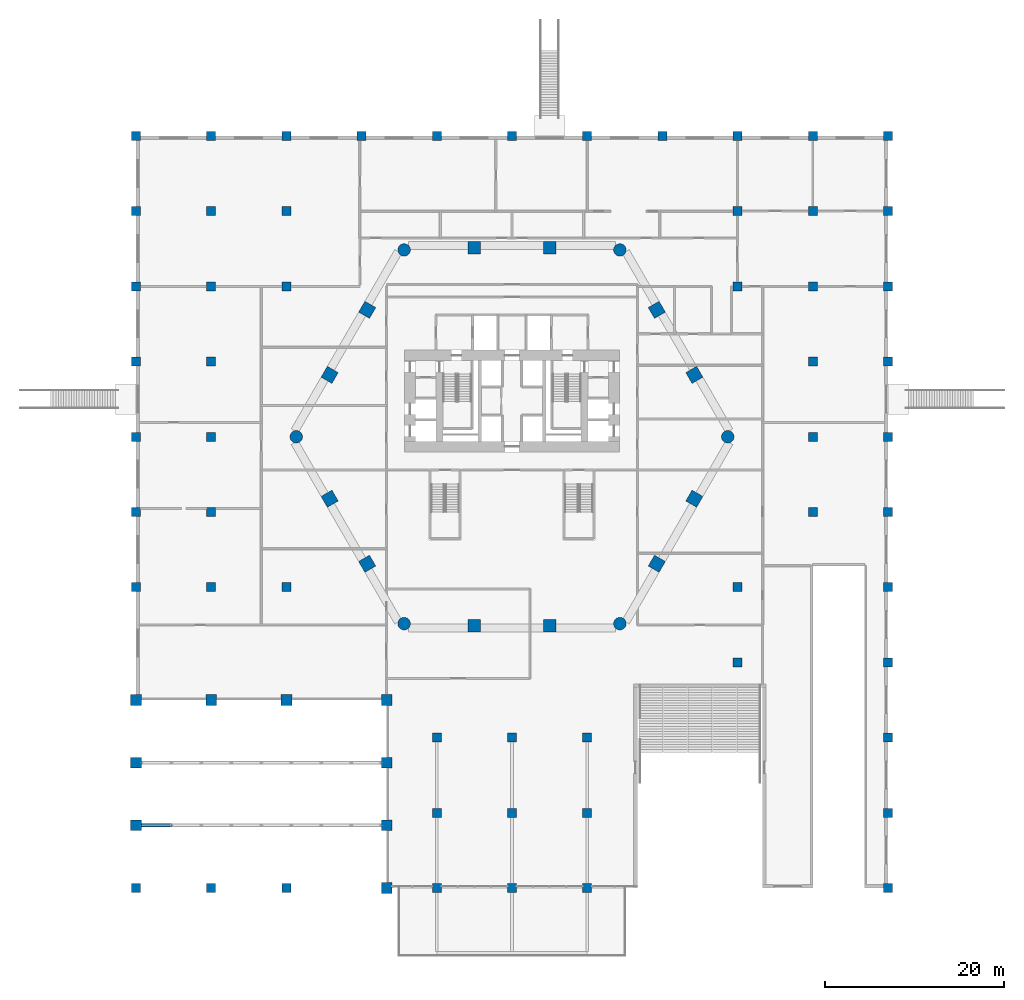
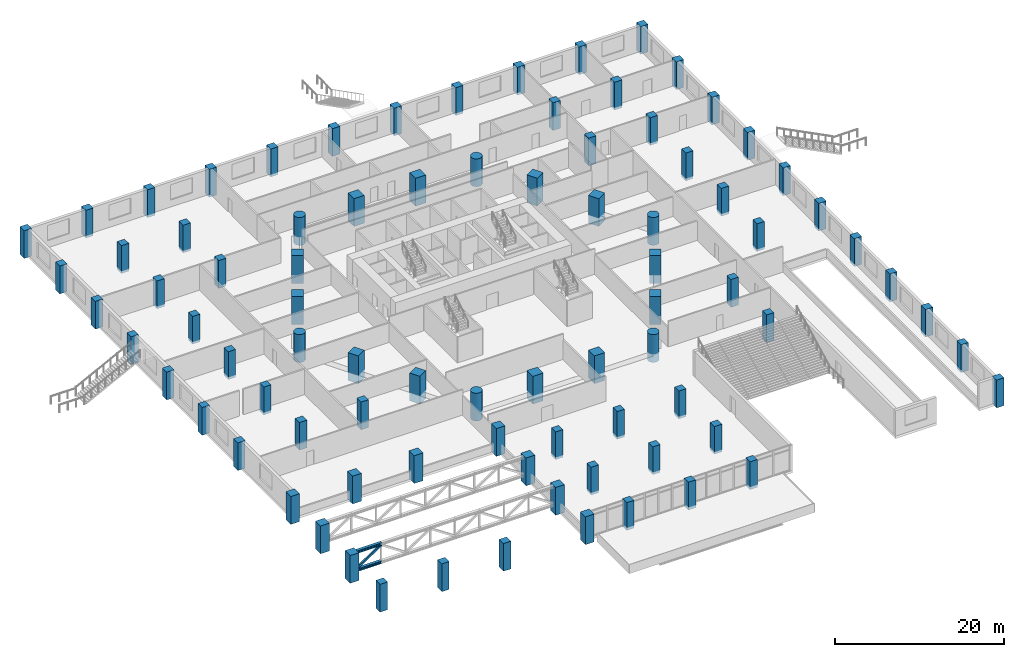
# One storey, part 1 of 24: 84 columns, 3 members.
"""IFC4 building model written with IfcOpenShell, lengths in metres."""

from ifc_helpers import new_model, si_unit, direction, frame, origin, origin_2d, place, context, subcontext, project, spatial, rectangle, hollow_rectangle, circle, i_section, extrude, material, material_profile, profile_set, type_object, element, save


model = new_model("IFC4")

# Units and contexts
model_context = context("Model", 3, precision=1e-05, world=origin(), true_north=direction((0.0, 1.0)))
body_context = subcontext(model_context, "Body", "Model", "MODEL_VIEW")
ifc_project = project(units=[si_unit("LENGTHUNIT", "METRE"), si_unit("AREAUNIT", "SQUARE_METRE"), si_unit("VOLUMEUNIT", "CUBIC_METRE"), si_unit("PLANEANGLEUNIT", "RADIAN"), si_unit("MASSUNIT", "GRAM", prefix="KILO")], contexts=[model_context])

# Site, building, storey
site_placement = place(None, origin())
site = spatial("IfcSite", under=ifc_project, at=site_placement, CompositionType="ELEMENT")
building_placement = place(site_placement, origin())
building = spatial("IfcBuilding", under=site, at=building_placement, Name="Ostrander Bayou Hotel Tower", CompositionType="ELEMENT")
storey_placement = place(building_placement, frame((0.0, 0.0, 6.0)))
storey = spatial("IfcBuildingStorey", under=building, at=storey_placement, Name="L01", CompositionType="ELEMENT", Elevation=6.0)

# Columns
ifc_material_1 = material(Name="Concrete f'c 70 MPa", Category="concrete")
ifc_material_profile_1 = material_profile(ifc_material_1, circle(Radius=0.699951171875, at=origin_2d()))
ifc_profile_set_1 = profile_set([ifc_material_profile_1], Name="Concrete f'c 70 MPa")
column_type_1 = type_object("IfcColumnType", Name="C1 round column 1400 mm f'c 70 MPa", PredefinedType="COLUMN", material=ifc_profile_set_1)
for number, where, z_axis, x_axis, name in (
    (1, (-12.050537109375, 20.872314453125, -1.199951171875), (0.0, 0.0, 1.0), (1.0, 0.0, 0.0), "C1 L01 K0"),
    (2, (-24.101318359375, 0.0, -1.199951171875), (0.0, 0.0, 1.0), (1.0, 0.0, 0.0), "C1 L01 K1"),
    (3, (-12.050537109375, -20.872314453125, -1.199951171875), (0.0, 0.0, 1.0), (1.0, 0.0, 0.0), "C1 L01 K2"),
    (4, (12.050537109375, -20.872314453125, -1.199951171875), (0.0, 0.0, 1.0), (1.0, 0.0, 0.0), "C1 L01 K3"),
    (5, (24.101318359375, 0.0, -1.199951171875), (0.0, 0.0, 1.0), (1.0, 0.0, 0.0), "C1 L01 K4"),
    (6, (12.050537109375, 20.872314453125, -1.199951171875), (0.0, 0.0, 1.0), (1.0, 0.0, 0.0), "C1 L01 K5"),
):
    element("IfcColumn", number, at=place(storey_placement, frame(where, z_axis=z_axis, x_axis=x_axis)), inside=storey, type_object=column_type_1, Name=name, PredefinedType="COLUMN", context=body_context, shape_type="SweptSolid", body=[
        extrude(circle(Radius=0.699951171875, at=origin_2d()), origin(), (0.0, 0.0, 1.0), 4.0),
    ])
ifc_material_2 = material(Name="Concrete f'c 70 MPa", Category="concrete")
ifc_material_profile_2 = material_profile(ifc_material_2, rectangle(XDim=1.39990234375, YDim=1.39990234375, at=origin_2d()))
ifc_profile_set_2 = profile_set([ifc_material_profile_2], Name="Concrete f'c 70 MPa")
column_type_2 = type_object("IfcColumnType", Name="C2 square column 1400 x 1400 mm f'c 70 MPa", PredefinedType="COLUMN", material=ifc_profile_set_2)
for number, where, z_axis, x_axis, name in (
    (7, (4.1953125, 21.10009765625, -1.199951171875), (0.0, 0.0, 1.0), (1.0, 0.0, 0.0), "C2 L01 N1"),
    (8, (-4.1953125, 21.10009765625, -1.199951171875), (0.0, 0.0, 1.0), (1.0, 0.0, 0.0), "C2 L01 N2"),
    (9, (-16.17529296875, 14.183349609375, -1.199951171875), (0.0, 0.0, 1.0), (0.5, 0.866025403784, 0.0), "C2 L01 NW1"),
    (10, (-20.370849609375, 6.916748046875, -1.199951171875), (0.0, 0.0, 1.0), (0.5, 0.866025403784, 0.0), "C2 L01 NW2"),
    (11, (-20.370849609375, -6.916748046875, -1.199951171875), (0.0, 0.0, 1.0), (-0.5, 0.866025403784, 0.0), "C2 L01 SW1"),
    (12, (-16.17529296875, -14.183349609375, -1.199951171875), (0.0, 0.0, 1.0), (-0.5, 0.866025403784, 0.0), "C2 L01 SW2"),
    (13, (-4.1953125, -21.10009765625, -1.199951171875), (0.0, 0.0, 1.0), (-1.0, 0.0, 0.0), "C2 L01 S1"),
    (14, (4.1953125, -21.10009765625, -1.199951171875), (0.0, 0.0, 1.0), (-1.0, 0.0, 0.0), "C2 L01 S2"),
    (15, (16.17529296875, -14.183349609375, -1.199951171875), (0.0, 0.0, 1.0), (-0.5, -0.866025403784, 0.0), "C2 L01 SE1"),
    (16, (20.370849609375, -6.916748046875, -1.199951171875), (0.0, 0.0, 1.0), (-0.5, -0.866025403784, 0.0), "C2 L01 SE2"),
    (17, (20.370849609375, 6.916748046875, -1.199951171875), (0.0, 0.0, 1.0), (0.5, -0.866025403784, 0.0), "C2 L01 NE1"),
    (18, (16.17529296875, 14.183349609375, -1.199951171875), (0.0, 0.0, 1.0), (0.5, -0.866025403784, 0.0), "C2 L01 NE2"),
):
    element("IfcColumn", number, at=place(storey_placement, frame(where, z_axis=z_axis, x_axis=x_axis)), inside=storey, type_object=column_type_2, Name=name, PredefinedType="COLUMN", context=body_context, shape_type="SweptSolid", body=[
        extrude(rectangle(XDim=1.39990234375, YDim=1.39990234375, at=origin_2d()), origin(), (0.0, 0.0, 1.0), 4.0),
    ])
ifc_material_3 = material(Name="Concrete f'c 60 MPa", Category="concrete")
ifc_material_profile_3 = material_profile(ifc_material_3, rectangle(XDim=1.0, YDim=1.0, at=origin_2d()))
ifc_profile_set_3 = profile_set([ifc_material_profile_3], Name="Concrete f'c 60 MPa")
column_type_3 = type_object("IfcColumnType", Name="PC1 podium column 1000 x 1000 mm f'c 60 MPa", PredefinedType="COLUMN", material=ifc_profile_set_3)
for number, where, z_axis, x_axis, name in (
    (19, (-42.0, -50.39990234375, -0.35009765625), (0.0, 0.0, 1.0), (1.0, 0.0, 0.0), "PC1 L01 1A"),
    (20, (-42.0, -16.800048828125, -0.35009765625), (0.0, 0.0, 1.0), (1.0, 0.0, 0.0), "PC1 L01 1E"),
    (21, (-42.0, -8.39990234375, -0.35009765625), (0.0, 0.0, 1.0), (1.0, 0.0, 0.0), "PC1 L01 1F"),
    (22, (-42.0, 0.0, -0.35009765625), (0.0, 0.0, 1.0), (1.0, 0.0, 0.0), "PC1 L01 1G"),
    (23, (-42.0, 8.39990234375, -0.35009765625), (0.0, 0.0, 1.0), (1.0, 0.0, 0.0), "PC1 L01 1H"),
    (24, (-42.0, 16.800048828125, -0.35009765625), (0.0, 0.0, 1.0), (1.0, 0.0, 0.0), "PC1 L01 1I"),
    (25, (-42.0, 25.199951171875, -0.35009765625), (0.0, 0.0, 1.0), (1.0, 0.0, 0.0), "PC1 L01 1J"),
    (26, (-42.0, 33.60009765625, -0.35009765625), (0.0, 0.0, 1.0), (1.0, 0.0, 0.0), "PC1 L01 1K"),
    (27, (-33.60009765625, -50.39990234375, -0.35009765625), (0.0, 0.0, 1.0), (1.0, 0.0, 0.0), "PC1 L01 2A"),
    (28, (-33.60009765625, -16.800048828125, -0.35009765625), (0.0, 0.0, 1.0), (1.0, 0.0, 0.0), "PC1 L01 2E"),
    (29, (-33.60009765625, -8.39990234375, -0.35009765625), (0.0, 0.0, 1.0), (1.0, 0.0, 0.0), "PC1 L01 2F"),
    (30, (-33.60009765625, 0.0, -0.35009765625), (0.0, 0.0, 1.0), (1.0, 0.0, 0.0), "PC1 L01 2G"),
    (31, (-33.60009765625, 8.39990234375, -0.35009765625), (0.0, 0.0, 1.0), (1.0, 0.0, 0.0), "PC1 L01 2H"),
    (32, (-33.60009765625, 16.800048828125, -0.35009765625), (0.0, 0.0, 1.0), (1.0, 0.0, 0.0), "PC1 L01 2I"),
    (33, (-33.60009765625, 25.199951171875, -0.35009765625), (0.0, 0.0, 1.0), (1.0, 0.0, 0.0), "PC1 L01 2J"),
    (34, (-33.60009765625, 33.60009765625, -0.35009765625), (0.0, 0.0, 1.0), (1.0, 0.0, 0.0), "PC1 L01 2K"),
    (35, (-25.199951171875, -50.39990234375, -0.35009765625), (0.0, 0.0, 1.0), (1.0, 0.0, 0.0), "PC1 L01 3A"),
    (36, (-25.199951171875, -16.800048828125, -0.35009765625), (0.0, 0.0, 1.0), (1.0, 0.0, 0.0), "PC1 L01 3E"),
    (37, (-25.199951171875, 16.800048828125, -0.35009765625), (0.0, 0.0, 1.0), (1.0, 0.0, 0.0), "PC1 L01 3I"),
    (38, (-25.199951171875, 25.199951171875, -0.35009765625), (0.0, 0.0, 1.0), (1.0, 0.0, 0.0), "PC1 L01 3J"),
    (39, (-25.199951171875, 33.60009765625, -0.35009765625), (0.0, 0.0, 1.0), (1.0, 0.0, 0.0), "PC1 L01 3K"),
    (40, (-16.800048828125, 33.60009765625, -0.35009765625), (0.0, 0.0, 1.0), (1.0, 0.0, 0.0), "PC1 L01 4K"),
    (41, (-8.39990234375, -50.39990234375, -0.35009765625), (0.0, 0.0, 1.0), (1.0, 0.0, 0.0), "PC1 L01 5A"),
    (42, (-8.39990234375, -42.0, -0.35009765625), (0.0, 0.0, 1.0), (1.0, 0.0, 0.0), "PC1 L01 5B"),
    (43, (-8.39990234375, -33.60009765625, -0.35009765625), (0.0, 0.0, 1.0), (1.0, 0.0, 0.0), "PC1 L01 5C"),
    (44, (-8.39990234375, 33.60009765625, -0.35009765625), (0.0, 0.0, 1.0), (1.0, 0.0, 0.0), "PC1 L01 5K"),
    (45, (0.0, -50.39990234375, -0.35009765625), (0.0, 0.0, 1.0), (1.0, 0.0, 0.0), "PC1 L01 6A"),
    (46, (0.0, -42.0, -0.35009765625), (0.0, 0.0, 1.0), (1.0, 0.0, 0.0), "PC1 L01 6B"),
    (47, (0.0, -33.60009765625, -0.35009765625), (0.0, 0.0, 1.0), (1.0, 0.0, 0.0), "PC1 L01 6C"),
    (48, (0.0, 33.60009765625, -0.35009765625), (0.0, 0.0, 1.0), (1.0, 0.0, 0.0), "PC1 L01 6K"),
    (49, (8.39990234375, -50.39990234375, -0.35009765625), (0.0, 0.0, 1.0), (1.0, 0.0, 0.0), "PC1 L01 7A"),
    (50, (8.39990234375, -42.0, -0.35009765625), (0.0, 0.0, 1.0), (1.0, 0.0, 0.0), "PC1 L01 7B"),
    (51, (8.39990234375, -33.60009765625, -0.35009765625), (0.0, 0.0, 1.0), (1.0, 0.0, 0.0), "PC1 L01 7C"),
    (52, (8.39990234375, 33.60009765625, -0.35009765625), (0.0, 0.0, 1.0), (1.0, 0.0, 0.0), "PC1 L01 7K"),
    (53, (16.800048828125, 33.60009765625, -0.35009765625), (0.0, 0.0, 1.0), (1.0, 0.0, 0.0), "PC1 L01 8K"),
    (54, (25.199951171875, -25.199951171875, -0.35009765625), (0.0, 0.0, 1.0), (1.0, 0.0, 0.0), "PC1 L01 9D"),
    (55, (25.199951171875, -16.800048828125, -0.35009765625), (0.0, 0.0, 1.0), (1.0, 0.0, 0.0), "PC1 L01 9E"),
    (56, (25.199951171875, 16.800048828125, -0.35009765625), (0.0, 0.0, 1.0), (1.0, 0.0, 0.0), "PC1 L01 9I"),
    (57, (25.199951171875, 25.199951171875, -0.35009765625), (0.0, 0.0, 1.0), (1.0, 0.0, 0.0), "PC1 L01 9J"),
    (58, (25.199951171875, 33.60009765625, -0.35009765625), (0.0, 0.0, 1.0), (1.0, 0.0, 0.0), "PC1 L01 9K"),
    (59, (33.60009765625, -8.39990234375, -0.35009765625), (0.0, 0.0, 1.0), (1.0, 0.0, 0.0), "PC1 L01 10F"),
    (60, (33.60009765625, 0.0, -0.35009765625), (0.0, 0.0, 1.0), (1.0, 0.0, 0.0), "PC1 L01 10G"),
    (61, (33.60009765625, 8.39990234375, -0.35009765625), (0.0, 0.0, 1.0), (1.0, 0.0, 0.0), "PC1 L01 10H"),
    (62, (33.60009765625, 16.800048828125, -0.35009765625), (0.0, 0.0, 1.0), (1.0, 0.0, 0.0), "PC1 L01 10I"),
    (63, (33.60009765625, 25.199951171875, -0.35009765625), (0.0, 0.0, 1.0), (1.0, 0.0, 0.0), "PC1 L01 10J"),
    (64, (33.60009765625, 33.60009765625, -0.35009765625), (0.0, 0.0, 1.0), (1.0, 0.0, 0.0), "PC1 L01 10K"),
    (65, (42.0, -50.39990234375, -0.35009765625), (0.0, 0.0, 1.0), (1.0, 0.0, 0.0), "PC1 L01 11A"),
    (66, (42.0, -42.0, -0.35009765625), (0.0, 0.0, 1.0), (1.0, 0.0, 0.0), "PC1 L01 11B"),
    (67, (42.0, -33.60009765625, -0.35009765625), (0.0, 0.0, 1.0), (1.0, 0.0, 0.0), "PC1 L01 11C"),
    (68, (42.0, -25.199951171875, -0.35009765625), (0.0, 0.0, 1.0), (1.0, 0.0, 0.0), "PC1 L01 11D"),
    (69, (42.0, -16.800048828125, -0.35009765625), (0.0, 0.0, 1.0), (1.0, 0.0, 0.0), "PC1 L01 11E"),
    (70, (42.0, -8.39990234375, -0.35009765625), (0.0, 0.0, 1.0), (1.0, 0.0, 0.0), "PC1 L01 11F"),
    (71, (42.0, 0.0, -0.35009765625), (0.0, 0.0, 1.0), (1.0, 0.0, 0.0), "PC1 L01 11G"),
    (72, (42.0, 8.39990234375, -0.35009765625), (0.0, 0.0, 1.0), (1.0, 0.0, 0.0), "PC1 L01 11H"),
    (73, (42.0, 16.800048828125, -0.35009765625), (0.0, 0.0, 1.0), (1.0, 0.0, 0.0), "PC1 L01 11I"),
    (74, (42.0, 25.199951171875, -0.35009765625), (0.0, 0.0, 1.0), (1.0, 0.0, 0.0), "PC1 L01 11J"),
    (75, (42.0, 33.60009765625, -0.35009765625), (0.0, 0.0, 1.0), (1.0, 0.0, 0.0), "PC1 L01 11K"),
):
    element("IfcColumn", number, at=place(storey_placement, frame(where, z_axis=z_axis, x_axis=x_axis)), inside=storey, type_object=column_type_3, Name=name, PredefinedType="COLUMN", context=body_context, shape_type="SweptSolid", body=[
        extrude(rectangle(XDim=1.0, YDim=1.0, at=origin_2d()), origin(), (0.0, 0.0, 1.0), 4.0),
    ])
ifc_material_4 = material(Name="Concrete f'c 60 MPa", Category="concrete")
ifc_material_profile_4 = material_profile(ifc_material_4, rectangle(XDim=1.199951171875, YDim=1.199951171875, at=origin_2d()))
ifc_profile_set_4 = profile_set([ifc_material_profile_4], Name="Concrete f'c 60 MPa")
column_type_4 = type_object("IfcColumnType", Name="PC2 ballroom column 1200 x 1200 mm f'c 60 MPa", PredefinedType="COLUMN", material=ifc_profile_set_4)
for number, where, z_axis, x_axis, name in (
    (76, (-14.0, -43.39990234375, -0.35009765625), (0.0, 0.0, 1.0), (1.0, 0.0, 0.0), "PC2 L01 BR1"),
    (77, (-42.0, -43.39990234375, -0.35009765625), (0.0, 0.0, 1.0), (1.0, 0.0, 0.0), "PC2 L01 BW1"),
    (78, (-14.0, -36.39990234375, -0.35009765625), (0.0, 0.0, 1.0), (1.0, 0.0, 0.0), "PC2 L01 BR2"),
    (79, (-42.0, -36.39990234375, -0.35009765625), (0.0, 0.0, 1.0), (1.0, 0.0, 0.0), "PC2 L01 BW2"),
    (80, (-14.0, -50.39990234375, -0.35009765625), (0.0, 0.0, 1.0), (1.0, 0.0, 0.0), "PC2 L01 BR0"),
    (81, (-14.0, -29.39990234375, -0.35009765625), (0.0, 0.0, 1.0), (1.0, 0.0, 0.0), "PC2 L01 BR3"),
    (82, (-42.0, -29.39990234375, -0.35009765625), (0.0, 0.0, 1.0), (1.0, 0.0, 0.0), "PC2 L01 BE1"),
    (83, (-33.60009765625, -29.39990234375, -0.35009765625), (0.0, 0.0, 1.0), (1.0, 0.0, 0.0), "PC2 L01 BE2"),
    (84, (-25.199951171875, -29.39990234375, -0.35009765625), (0.0, 0.0, 1.0), (1.0, 0.0, 0.0), "PC2 L01 BE3"),
):
    element("IfcColumn", number, at=place(storey_placement, frame(where, z_axis=z_axis, x_axis=x_axis)), inside=storey, type_object=column_type_4, Name=name, PredefinedType="COLUMN", context=body_context, shape_type="SweptSolid", body=[
        extrude(rectangle(XDim=1.199951171875, YDim=1.199951171875, at=origin_2d()), origin(), (0.0, 0.0, 1.0), 4.0),
    ])

# Members
ifc_material_5 = material(Name="Steel ASTM A992", Category="steel")
ifc_material_profile_5 = material_profile(ifc_material_5, i_section(OverallWidth=0.3955078125, OverallDepth=0.38037109375, WebThickness=0.01904296875, FlangeThickness=0.0302734375, at=origin_2d()))
ifc_profile_set_5 = profile_set([ifc_material_profile_5], Name="Steel ASTM A992")
member_type_1 = type_object("IfcMemberType", Name="BR1 ballroom truss chord W14x159", PredefinedType="CHORD", material=ifc_profile_set_5)
for number, where, z_axis, x_axis, name in (
    (85, (-41.39990234375, -43.39990234375, 0.840087890625), (1.0, 0.0, 0.0), (0.0, 1.0, 0.0), "BR1 T1 B1"),
    (86, (-41.39990234375, -43.39990234375, 3.459716796875), (1.0, 0.0, 0.0), (0.0, 1.0, 0.0), "BR1 T1 T1"),
):
    element("IfcMember", number, at=place(storey_placement, frame(where, z_axis=z_axis, x_axis=x_axis)), inside=storey, type_object=member_type_1, Name=name, PredefinedType="CHORD", context=body_context, shape_type="SweptSolid", body=[
        extrude(i_section(OverallWidth=0.3955078125, OverallDepth=0.38037109375, WebThickness=0.01904296875, FlangeThickness=0.0302734375, at=origin_2d()), origin(), (0.0, 0.0, 1.0), 3.349853515625),
    ])
ifc_material_6 = material(Name="Steel ASTM A500 Gr C", Category="steel")
ifc_material_profile_6 = material_profile(ifc_material_6, hollow_rectangle(XDim=0.25390625, YDim=0.25390625, WallThickness=0.01171875, at=origin_2d()))
ifc_profile_set_6 = profile_set([ifc_material_profile_6], Name="Steel ASTM A500 Gr C")
member_type_2 = type_object("IfcMemberType", Name="BR2 ballroom truss diagonal HSS10x10x1/2", PredefinedType="BRACE", material=ifc_profile_set_6)
member_placement = place(storey_placement, frame((-41.39990234375, -43.39990234375, 1.030517578125), z_axis=(0.831387846986, 0.0, 0.555692583974), x_axis=(0.0, 1.0, 0.0)))
element("IfcMember", 87, at=member_placement, inside=storey, type_object=member_type_2, Name="BR2 T1 D1", PredefinedType="BRACE", context=body_context, shape_type="SweptSolid", body=[
    extrude(hollow_rectangle(XDim=0.25390625, YDim=0.25390625, WallThickness=0.01171875, at=origin_2d()), origin(), (0.0, 0.0, 1.0), 4.029296875),
])

save(model, "model.ifc")
